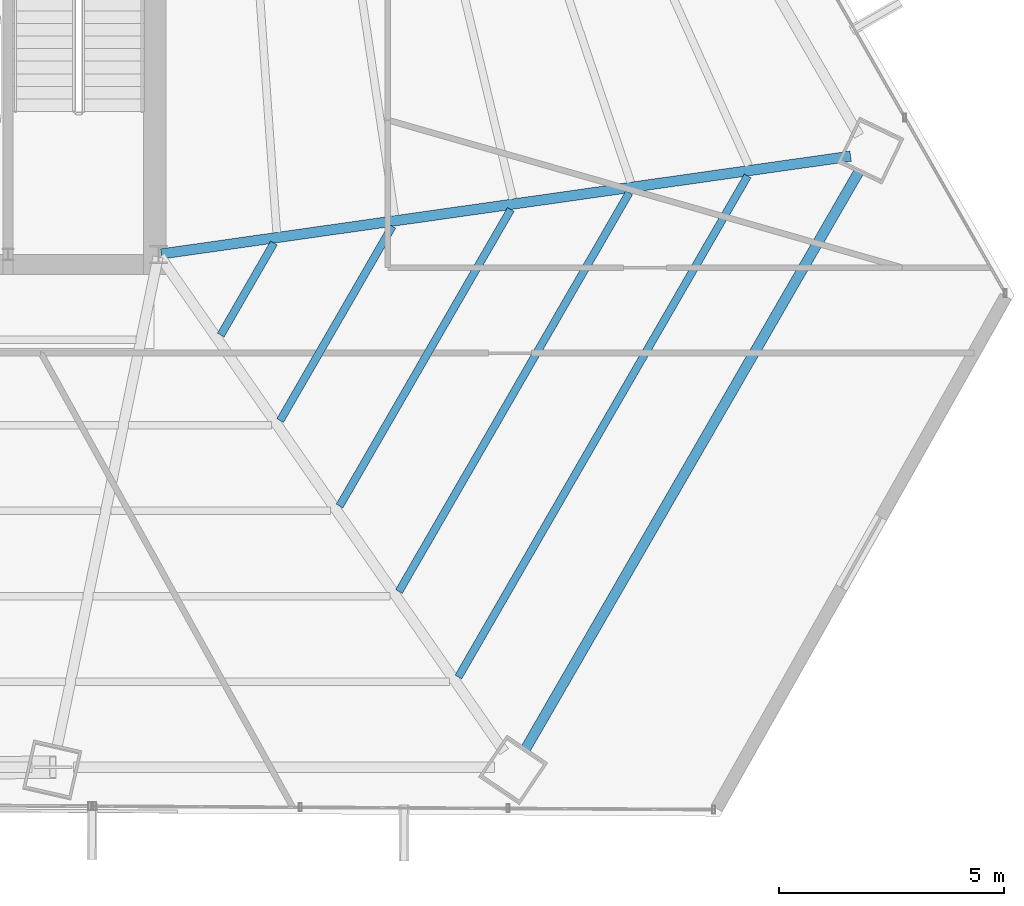
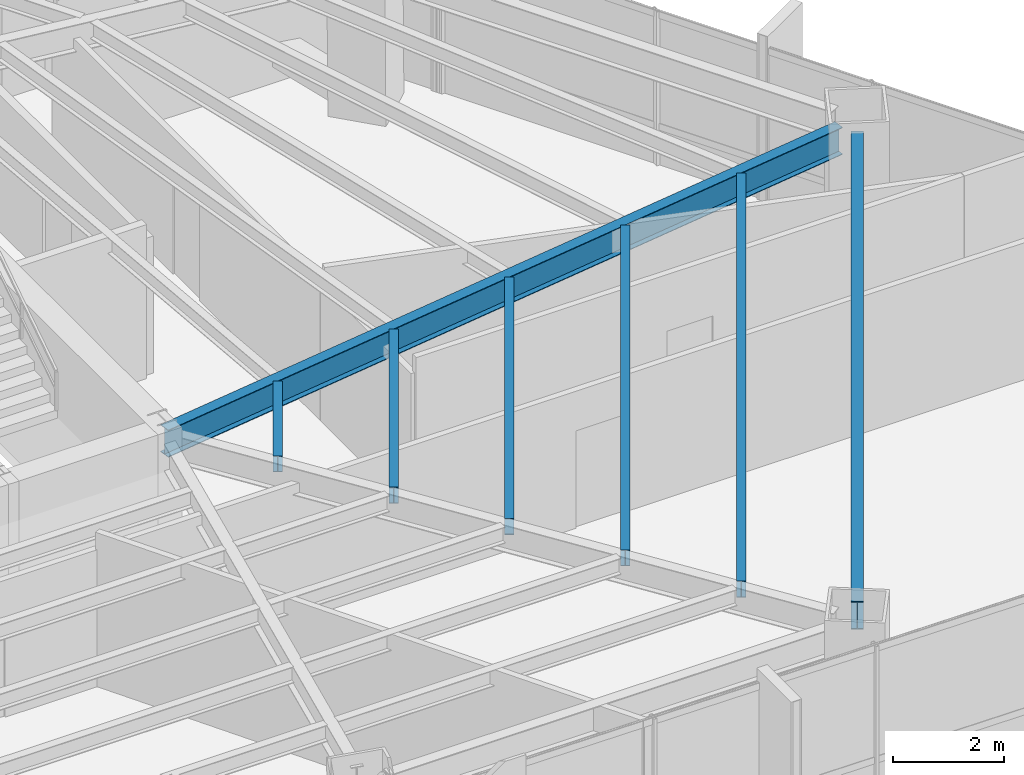
# One storey, part 18 of 36: 7 beams.
"""IFC4 building model written with IfcOpenShell, lengths in metres."""

from ifc_helpers import new_model, si_unit, direction, frame, origin, origin_2d, place, context, subcontext, project, spatial, i_section, extrude, source, transform, mapped, material, material_profile, profile_set, type_object, type_shapes, element, save


model = new_model("IFC4")

# Units and contexts
model_context = context("Model", 3, precision=1e-05, world=origin(), true_north=direction((0.0, 1.0)))
body_context = subcontext(model_context, "Body", "Model", "MODEL_VIEW")
ifc_project = project(units=[si_unit("LENGTHUNIT", "METRE"), si_unit("AREAUNIT", "SQUARE_METRE"), si_unit("VOLUMEUNIT", "CUBIC_METRE"), si_unit("PLANEANGLEUNIT", "RADIAN"), si_unit("MASSUNIT", "GRAM", prefix="KILO")], contexts=[model_context])

# Site, building, storey
site_placement = place(None, origin())
site = spatial("IfcSite", under=ifc_project, at=site_placement, CompositionType="ELEMENT")
building_placement = place(site_placement, origin())
building = spatial("IfcBuilding", under=site, at=building_placement, Name="Caelisora Broadcast Tower", CompositionType="ELEMENT")
storey_placement = place(building_placement, frame((0.0, 0.0, 83.5)))
storey = spatial("IfcBuildingStorey", under=building, at=storey_placement, Name="L21", CompositionType="ELEMENT", Elevation=83.5)

# Beams
ifc_material = material(Name="Steel Grade 350 (AS/NZS 3679.1)", Category="steel")
ifc_material_profile_1 = material_profile(ifc_material, i_section(OverallWidth=0.22900390625, OverallDepth=0.611572265625, WebThickness=0.011962890625, FlangeThickness=0.01953125, at=origin_2d()), Name="Steel Grade 350 (AS/NZS 3679.1)")
ifc_profile_set_1 = profile_set([ifc_material_profile_1], Name="Steel Grade 350 (AS/NZS 3679.1)")
beam_type_1 = type_object("IfcBeamType", Name="PG03", PredefinedType="BEAM", material=ifc_profile_set_1)
shared_shape_1 = source(origin(), body_context, "Body", "SweptSolid", [
    extrude(i_section(OverallWidth=0.22900390625, OverallDepth=0.611572265625, WebThickness=0.011962890625, FlangeThickness=0.01953125, at=origin_2d()), origin(), (0.0, 0.0, 1.0), 14.858154296875),
])
type_shapes(beam_type_1, [shared_shape_1])
beam_1_placement = place(storey_placement, frame((53.664306640625, 6.3779296875, 3.09423828125), z_axis=(0.50000929273, 0.866020038558, 0.0), x_axis=(-0.866020038558, 0.50000929273, 0.0)))
element("IfcBeam", 1, at=beam_1_placement, inside=storey, type_object=beam_type_1, Name="L21 beam PG03", PredefinedType="BEAM", context=body_context, shape_type="MappedRepresentation", body=[
    mapped(shared_shape_1, transform((0.0, 0.0, 0.0), scale=1.0)),
])
ifc_material_profile_2 = material_profile(ifc_material, i_section(OverallWidth=0.22802734375, OverallDepth=0.602294921875, WebThickness=0.010498046875, FlangeThickness=0.014892578125, at=origin_2d()), Name="Steel Grade 350 (AS/NZS 3679.1)")
ifc_profile_set_2 = profile_set([ifc_material_profile_2], Name="Steel Grade 350 (AS/NZS 3679.1)")
beam_type_2 = type_object("IfcBeamType", Name="PG04", PredefinedType="BEAM", material=ifc_profile_set_2)
shared_shape_2 = source(origin(), body_context, "Body", "SweptSolid", [
    extrude(i_section(OverallWidth=0.22802734375, OverallDepth=0.602294921875, WebThickness=0.010498046875, FlangeThickness=0.014892578125, at=origin_2d()), origin(), (0.0, 0.0, 1.0), 15.501953125),
])
type_shapes(beam_type_2, [shared_shape_2])
beam_2_placement = place(storey_placement, frame((45.559326171875, 17.408447265625, 3.098876953125), z_axis=(0.990096679829, 0.140387195253, 0.0), x_axis=(-0.140387195253, 0.990096679829, 0.0)))
element("IfcBeam", 2, at=beam_2_placement, inside=storey, type_object=beam_type_2, Name="L21 beam PG04", PredefinedType="BEAM", context=body_context, shape_type="MappedRepresentation", body=[
    mapped(shared_shape_2, transform((0.0, 0.0, 0.0), scale=1.0)),
])
ifc_material_profile_3 = material_profile(ifc_material, i_section(OverallWidth=0.172119140625, OverallDepth=0.358642578125, WebThickness=0.008056640625, FlangeThickness=0.012939453125, at=origin_2d()), Name="Steel Grade 350 (AS/NZS 3679.1)")
ifc_profile_set_3 = profile_set([ifc_material_profile_3], Name="Steel Grade 350 (AS/NZS 3679.1)")
beam_type_3 = type_object("IfcBeamType", Name="SB02", PredefinedType="JOIST", material=ifc_profile_set_3)
shared_shape_3 = source(origin(), body_context, "Body", "SweptSolid", [
    extrude(i_section(OverallWidth=0.172119140625, OverallDepth=0.358642578125, WebThickness=0.008056640625, FlangeThickness=0.012939453125, at=origin_2d()), origin(), (0.0, 0.0, 1.0), 2.364990234375),
])
beam_3_placement = place(storey_placement, frame((46.8837890625, 15.60302734375, 3.220703125), z_axis=(0.50004711805, 0.865998198456, 0.0), x_axis=(-0.865998198456, 0.50004711805, 0.0)))
element("IfcBeam", 3, at=beam_3_placement, inside=storey, type_object=beam_type_3, Name="L21 beam SB02", PredefinedType="JOIST", context=body_context, shape_type="MappedRepresentation", body=[
    mapped(shared_shape_3, transform((0.0, 0.0, 0.0), scale=1.0)),
])
shared_shape_4 = source(origin(), body_context, "Body", "SweptSolid", [
    extrude(i_section(OverallWidth=0.172119140625, OverallDepth=0.358642578125, WebThickness=0.008056640625, FlangeThickness=0.012939453125, at=origin_2d()), origin(), (0.0, 0.0, 1.0), 4.99462890625),
])
beam_4_placement = place(storey_placement, frame((48.206298828125, 13.69970703125, 3.220703125), z_axis=(0.50000312645, 0.86602359872, 0.0), x_axis=(-0.86602359872, 0.50000312645, 0.0)))
element("IfcBeam", 4, at=beam_4_placement, inside=storey, type_object=beam_type_3, Name="L21 beam SB02", PredefinedType="JOIST", context=body_context, shape_type="MappedRepresentation", body=[
    mapped(shared_shape_4, transform((0.0, 0.0, 0.0), scale=1.0)),
])
shared_shape_5 = source(origin(), body_context, "Body", "SweptSolid", [
    extrude(i_section(OverallWidth=0.172119140625, OverallDepth=0.358642578125, WebThickness=0.008056640625, FlangeThickness=0.012939453125, at=origin_2d()), origin(), (0.0, 0.0, 1.0), 7.6240234375),
])
beam_5_placement = place(storey_placement, frame((49.52880859375, 11.79638671875, 3.220703125), z_axis=(0.500003346055, 0.86602347193, 0.0), x_axis=(-0.86602347193, 0.500003346055, 0.0)))
element("IfcBeam", 5, at=beam_5_placement, inside=storey, type_object=beam_type_3, Name="L21 beam SB02", PredefinedType="JOIST", context=body_context, shape_type="MappedRepresentation", body=[
    mapped(shared_shape_5, transform((0.0, 0.0, 0.0), scale=1.0)),
])
shared_shape_6 = source(origin(), body_context, "Body", "SweptSolid", [
    extrude(i_section(OverallWidth=0.172119140625, OverallDepth=0.358642578125, WebThickness=0.008056640625, FlangeThickness=0.012939453125, at=origin_2d()), origin(), (0.0, 0.0, 1.0), 10.25390625),
])
beam_6_placement = place(storey_placement, frame((50.85107421875, 9.892822265625, 3.220703125), z_axis=(0.500000690336, 0.866025005218, 0.0), x_axis=(-0.866025005218, 0.500000690336, 0.0)))
element("IfcBeam", 6, at=beam_6_placement, inside=storey, type_object=beam_type_3, Name="L21 beam SB02", PredefinedType="JOIST", context=body_context, shape_type="MappedRepresentation", body=[
    mapped(shared_shape_6, transform((0.0, 0.0, 0.0), scale=1.0)),
])
shared_shape_7 = source(origin(), body_context, "Body", "SweptSolid", [
    extrude(i_section(OverallWidth=0.172119140625, OverallDepth=0.358642578125, WebThickness=0.008056640625, FlangeThickness=0.012939453125, at=origin_2d()), origin(), (0.0, 0.0, 1.0), 12.883544921875),
])
type_shapes(beam_type_3, [shared_shape_3, shared_shape_4, shared_shape_5, shared_shape_6, shared_shape_7])
beam_7_placement = place(storey_placement, frame((52.173583984375, 7.989501953125, 3.220703125), z_axis=(0.499993111901, 0.866029380594, 0.0), x_axis=(-0.866029380594, 0.499993111901, 0.0)))
element("IfcBeam", 7, at=beam_7_placement, inside=storey, type_object=beam_type_3, Name="L21 beam SB02", PredefinedType="JOIST", context=body_context, shape_type="MappedRepresentation", body=[
    mapped(shared_shape_7, transform((0.0, 0.0, 0.0), scale=1.0)),
])

save(model, "model.ifc")
